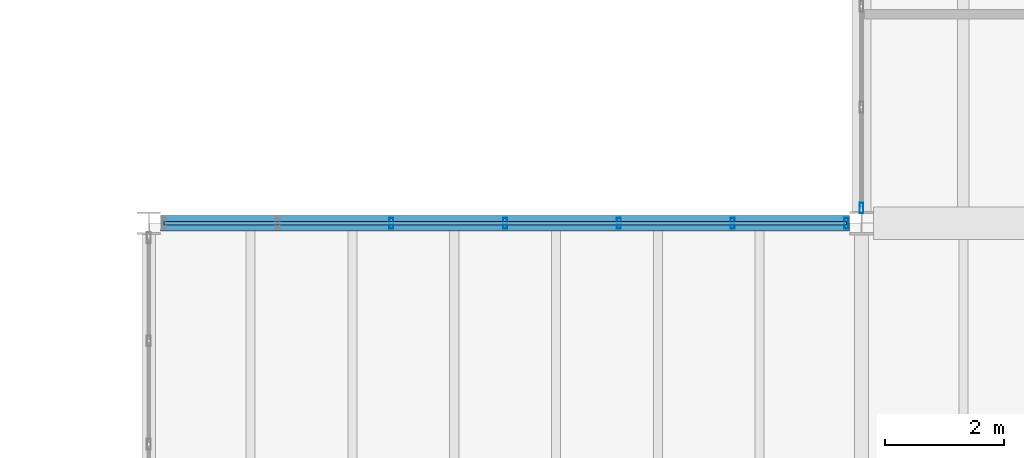
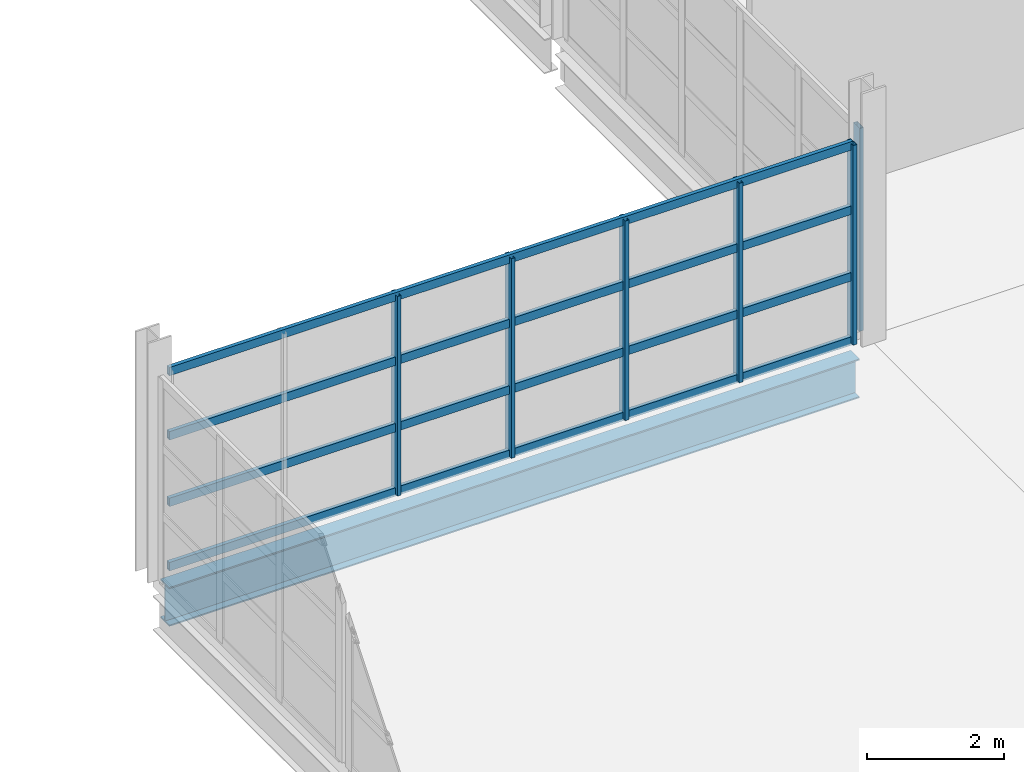
# One storey, part 64 of 114: 10 members, 1 beam, 2 elements without a shape of their own.
"""IFC4 building model written with IfcOpenShell, lengths in metres."""

from ifc_helpers import new_model, si_unit, direction, frame, origin, origin_2d, place, context, subcontext, project, spatial, hollow_rectangle, i_section, extrude, material, material_profile, profile_set, type_object, element, aggregate, save


model = new_model("IFC4")

# Units and contexts
model_context = context("Model", 3, precision=1e-05, world=origin(), true_north=direction((0.0, 1.0)))
body_context = subcontext(model_context, "Body", "Model", "MODEL_VIEW")
ifc_project = project(units=[si_unit("LENGTHUNIT", "METRE"), si_unit("AREAUNIT", "SQUARE_METRE"), si_unit("VOLUMEUNIT", "CUBIC_METRE"), si_unit("PLANEANGLEUNIT", "RADIAN"), si_unit("MASSUNIT", "GRAM", prefix="KILO")], contexts=[model_context])

# Site, building, storey
site_placement = place(None, origin())
site = spatial("IfcSite", under=ifc_project, at=site_placement, CompositionType="ELEMENT")
building_placement = place(site_placement, origin())
building = spatial("IfcBuilding", under=site, at=building_placement, Name="Kelmvaro Bay Concert Hall", CompositionType="ELEMENT")
storey_placement = place(building_placement, frame((0.0, 0.0, 4.800048828125)))
storey = spatial("IfcBuildingStorey", under=building, at=storey_placement, Name="L01", CompositionType="ELEMENT", Elevation=4.800048828125)

# Curtain wall, member
ifc_material_1 = material(Name="Anodised Aluminium and Low-E Insulated Glazing", Category="aluminium")
curtain_wall_type_1 = type_object("IfcCurtainWallType", Name="Chamber Foyer Curtain Wall 3900", PredefinedType="USERDEFINED", material=ifc_material_1)
curtain_wall_1_placement = place(storey_placement, origin())
curtain_wall_1 = element("IfcCurtainWall", 1, at=curtain_wall_1_placement, inside=storey, type_object=curtain_wall_type_1, Name="Unitised Curtain Wall CW-L01-035", ObjectType="UNITISED GLAZING", PredefinedType="USERDEFINED")
ifc_material_2 = material(Name="Anodised Extruded Aluminium 6063-T6", Category="aluminium")
ifc_material_profile_1 = material_profile(ifc_material_2, hollow_rectangle(XDim=0.06494140625, YDim=0.179931640625, WallThickness=0.00390625, at=origin_2d()), Name="ALU-MUL-180X65")
ifc_profile_set_1 = profile_set([ifc_material_profile_1], Name="Anodised Extruded Aluminium 6063-T6")
member_type_1 = type_object("IfcMemberType", Name="Curtain Mullion ALU 180x65", PredefinedType="MULLION", material=ifc_profile_set_1)
member_1_placement = place(storey_placement, frame((120.0, 74.054443359375, 0.0), z_axis=(0.0, 0.0, 1.0), x_axis=(1.0, 0.0, 0.0)))
member_1 = element("IfcMember", 2, at=member_1_placement, type_object=member_type_1, Name="CW-L01-035 Mullion 01", PredefinedType="MULLION", context=body_context, shape_type="SweptSolid", body=[
    extrude(hollow_rectangle(XDim=0.06494140625, YDim=0.179931640625, WallThickness=0.00390625, at=origin_2d()), origin(), (0.0, 0.0, 1.0), 3.60888671875),
])
aggregate(curtain_wall_1, [member_1])

# Curtain wall, members
ifc_material_3 = material(Name="Anodised Aluminium and Low-E Insulated Glazing", Category="aluminium")
curtain_wall_type_2 = type_object("IfcCurtainWallType", Name="Mezzanine Concourse Curtain Wall 4100", PredefinedType="USERDEFINED", material=ifc_material_3)
curtain_wall_2_placement = place(storey_placement, origin())
curtain_wall_2 = element("IfcCurtainWall", 3, at=curtain_wall_2_placement, inside=storey, type_object=curtain_wall_type_2, Name="Unitised Curtain Wall CW-L01-125", ObjectType="UNITISED GLAZING", PredefinedType="USERDEFINED")
member_2_placement = place(storey_placement, frame((112.08349609375, 73.800048828125, 0.0), z_axis=(0.0, 0.0, 1.0), x_axis=(1.0, 0.0, 0.0)))
member_2 = element("IfcMember", 4, at=member_2_placement, type_object=member_type_1, Name="CW-L01-125 Mullion 03", PredefinedType="MULLION", context=body_context, shape_type="SweptSolid", body=[
    extrude(hollow_rectangle(XDim=0.06494140625, YDim=0.179931640625, WallThickness=0.00390625, at=origin_2d()), origin(), (0.0, 0.0, 1.0), 3.546875),
])
member_3_placement = place(storey_placement, frame((113.998779296875, 73.800048828125, 0.0), z_axis=(0.0, 0.0, 1.0), x_axis=(1.0, 0.0, 0.0)))
member_3 = element("IfcMember", 5, at=member_3_placement, type_object=member_type_1, Name="CW-L01-125 Mullion 04", PredefinedType="MULLION", context=body_context, shape_type="SweptSolid", body=[
    extrude(hollow_rectangle(XDim=0.06494140625, YDim=0.179931640625, WallThickness=0.00390625, at=origin_2d()), origin(), (0.0, 0.0, 1.0), 3.546875),
])
member_4_placement = place(storey_placement, frame((115.9140625, 73.800048828125, 0.0), z_axis=(0.0, 0.0, 1.0), x_axis=(1.0, 0.0, 0.0)))
member_4 = element("IfcMember", 6, at=member_4_placement, type_object=member_type_1, Name="CW-L01-125 Mullion 05", PredefinedType="MULLION", context=body_context, shape_type="SweptSolid", body=[
    extrude(hollow_rectangle(XDim=0.06494140625, YDim=0.179931640625, WallThickness=0.00390625, at=origin_2d()), origin(), (0.0, 0.0, 1.0), 3.546875),
])
member_5_placement = place(storey_placement, frame((117.829345703125, 73.800048828125, 0.0), z_axis=(0.0, 0.0, 1.0), x_axis=(1.0, 0.0, 0.0)))
member_5 = element("IfcMember", 7, at=member_5_placement, type_object=member_type_1, Name="CW-L01-125 Mullion 06", PredefinedType="MULLION", context=body_context, shape_type="SweptSolid", body=[
    extrude(hollow_rectangle(XDim=0.06494140625, YDim=0.179931640625, WallThickness=0.00390625, at=origin_2d()), origin(), (0.0, 0.0, 1.0), 3.546875),
])
member_6_placement = place(storey_placement, frame((119.744384765625, 73.800048828125, 0.0), z_axis=(0.0, 0.0, 1.0), x_axis=(1.0, 0.0, 0.0)))
member_6 = element("IfcMember", 8, at=member_6_placement, type_object=member_type_1, Name="CW-L01-125 Mullion 07", PredefinedType="MULLION", context=body_context, shape_type="SweptSolid", body=[
    extrude(hollow_rectangle(XDim=0.06494140625, YDim=0.179931640625, WallThickness=0.00390625, at=origin_2d()), origin(), (0.0, 0.0, 1.0), 3.546875),
])
ifc_material_4 = material(Name="Anodised Extruded Aluminium 6063-T6", Category="aluminium")
ifc_material_profile_2 = material_profile(ifc_material_4, hollow_rectangle(XDim=0.06494140625, YDim=0.14990234375, WallThickness=0.00390625, at=origin_2d()), Name="ALU-TRN-150X65")
ifc_profile_set_2 = profile_set([ifc_material_profile_2], Name="Anodised Extruded Aluminium 6063-T6")
member_type_2 = type_object("IfcMemberType", Name="Curtain Transom ALU 150x65", PredefinedType="USERDEFINED", material=ifc_profile_set_2)
member_7_placement = place(storey_placement, frame((108.2529296875, 73.800048828125, 0.0400390625), z_axis=(1.0, 0.0, 0.0), x_axis=(0.0, 1.0, 0.0)))
member_7 = element("IfcMember", 9, at=member_7_placement, type_object=member_type_2, Name="CW-L01-125 Transom 01", ObjectType="TRANSOM", PredefinedType="USERDEFINED", context=body_context, shape_type="SweptSolid", body=[
    extrude(hollow_rectangle(XDim=0.06494140625, YDim=0.14990234375, WallThickness=0.00390625, at=origin_2d()), origin(), (0.0, 0.0, 1.0), 11.491455078125),
])
member_8_placement = place(storey_placement, frame((108.2529296875, 73.800048828125, 1.182373046875), z_axis=(1.0, 0.0, 0.0), x_axis=(0.0, 1.0, 0.0)))
member_8 = element("IfcMember", 10, at=member_8_placement, type_object=member_type_2, Name="CW-L01-125 Transom 02", ObjectType="TRANSOM", PredefinedType="USERDEFINED", context=body_context, shape_type="SweptSolid", body=[
    extrude(hollow_rectangle(XDim=0.06494140625, YDim=0.14990234375, WallThickness=0.00390625, at=origin_2d()), origin(), (0.0, 0.0, 1.0), 11.491455078125),
])
member_9_placement = place(storey_placement, frame((108.2529296875, 73.800048828125, 2.36474609375), z_axis=(1.0, 0.0, 0.0), x_axis=(0.0, 1.0, 0.0)))
member_9 = element("IfcMember", 11, at=member_9_placement, type_object=member_type_2, Name="CW-L01-125 Transom 03", ObjectType="TRANSOM", PredefinedType="USERDEFINED", context=body_context, shape_type="SweptSolid", body=[
    extrude(hollow_rectangle(XDim=0.06494140625, YDim=0.14990234375, WallThickness=0.00390625, at=origin_2d()), origin(), (0.0, 0.0, 1.0), 11.491455078125),
])
member_10_placement = place(storey_placement, frame((108.2529296875, 73.800048828125, 3.5068359375), z_axis=(1.0, 0.0, 0.0), x_axis=(0.0, 1.0, 0.0)))
member_10 = element("IfcMember", 12, at=member_10_placement, type_object=member_type_2, Name="CW-L01-125 Transom 04", ObjectType="TRANSOM", PredefinedType="USERDEFINED", context=body_context, shape_type="SweptSolid", body=[
    extrude(hollow_rectangle(XDim=0.06494140625, YDim=0.14990234375, WallThickness=0.00390625, at=origin_2d()), origin(), (0.0, 0.0, 1.0), 11.491455078125),
])
aggregate(curtain_wall_2, [member_2, member_3, member_4, member_5, member_6, member_7, member_8, member_9, member_10])

# Beam
ifc_material_5 = material(Name="Steel ASTM A992 Grade 50", Category="steel")
ifc_material_profile_3 = material_profile(ifc_material_5, i_section(OverallWidth=0.256103515625, OverallDepth=0.693115234375, WebThickness=0.014404296875, FlangeThickness=0.023681640625, at=origin_2d()), Name="W27X114")
ifc_profile_set_3 = profile_set([ifc_material_profile_3], Name="Steel ASTM A992 Grade 50")
beam_type = type_object("IfcBeamType", Name="Foyer Primary Girder W27x114", PredefinedType="BEAM", material=ifc_profile_set_3)
beam_placement = place(storey_placement, frame((108.197998046875, 73.800048828125, -0.596435546875), z_axis=(1.0, 0.0, 0.0), x_axis=(0.0, 1.0, 0.0)))
element("IfcBeam", 13, at=beam_placement, inside=storey, type_object=beam_type, Name="L01 Girder BM-L01-EW-0087", PredefinedType="BEAM", context=body_context, shape_type="SweptSolid", body=[
    extrude(i_section(OverallWidth=0.256103515625, OverallDepth=0.693115234375, WebThickness=0.014404296875, FlangeThickness=0.023681640625, at=origin_2d()), origin(), (0.0, 0.0, 1.0), 11.6015625),
])

save(model, "model.ifc")
